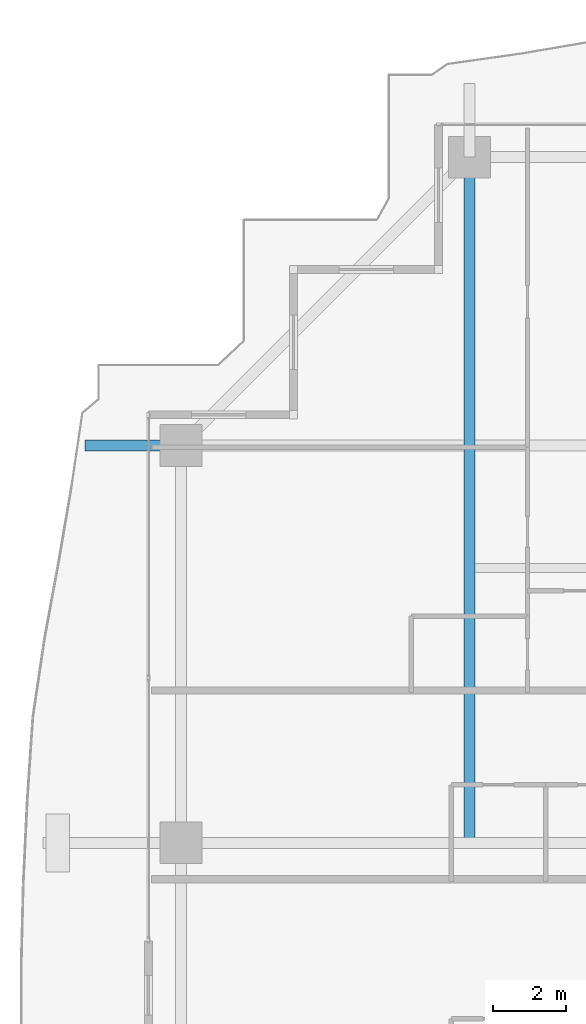
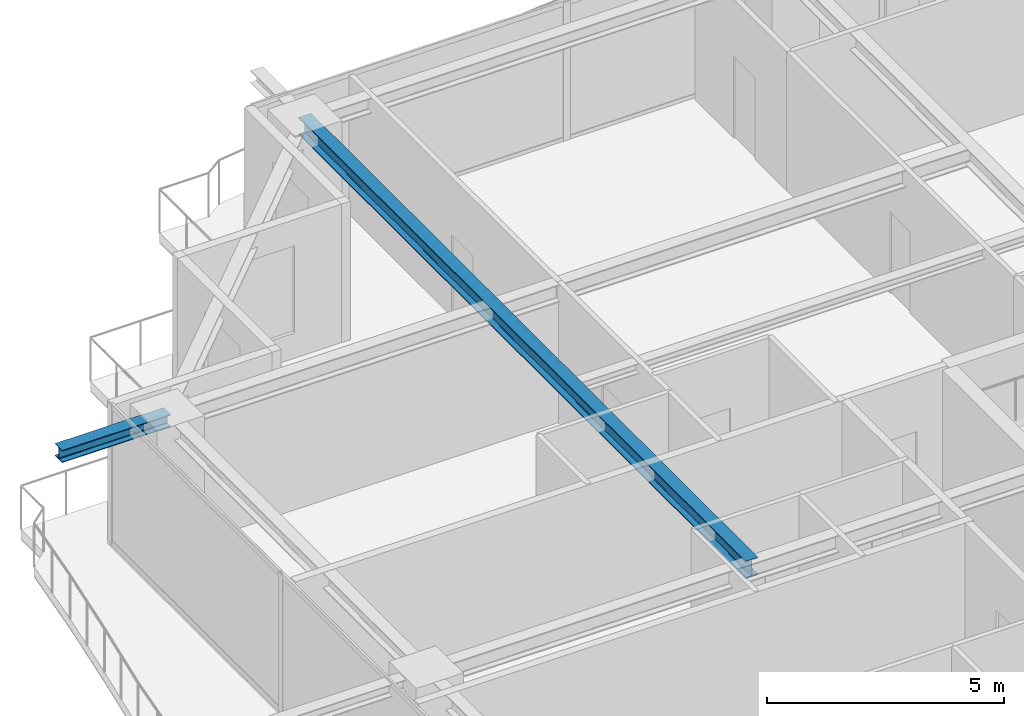
# One storey, part 18 of 38: 2 beams.
"""IFC4 building model written with IfcOpenShell, lengths in metres."""

from ifc_helpers import new_model, si_unit, direction, frame, origin, origin_2d, place, context, subcontext, project, spatial, i_section, extrude, source, transform, mapped, material, material_profile, profile_set, type_object, element, save


model = new_model("IFC4")

# Units and contexts
model_context = context("Model", 3, precision=1e-05, world=origin(), true_north=direction((0.0, 1.0)))
body_context = subcontext(model_context, "Body", "Model", "MODEL_VIEW")
ifc_project = project(units=[si_unit("LENGTHUNIT", "METRE"), si_unit("AREAUNIT", "SQUARE_METRE"), si_unit("VOLUMEUNIT", "CUBIC_METRE"), si_unit("PLANEANGLEUNIT", "RADIAN"), si_unit("MASSUNIT", "GRAM", prefix="KILO")], contexts=[model_context])

# Site, building, storey
site_placement = place(None, origin())
site = spatial("IfcSite", under=ifc_project, at=site_placement, CompositionType="ELEMENT")
building_placement = place(site_placement, origin())
building = spatial("IfcBuilding", under=site, at=building_placement, Name="Serunith Strait Residences", CompositionType="ELEMENT")
storey_placement = place(building_placement, frame((0.0, 0.0, 237.39990234375)))
storey = spatial("IfcBuildingStorey", under=building, at=storey_placement, Name="L59", CompositionType="ELEMENT", Elevation=237.39990234375)

# Beams
ifc_material = material(Name="Steel S355J2", Category="steel")
ifc_material_profile_1 = material_profile(ifc_material, i_section(OverallWidth=0.300048828125, OverallDepth=0.449951171875, WebThickness=0.013916015625, FlangeThickness=0.02587890625, FilletRadius=0.027099609375, at=origin_2d()), Name="HEB 450")
ifc_profile_set_1 = profile_set([ifc_material_profile_1], Name="Steel S355J2")
beam_type_1 = type_object("IfcBeamType", Name="BM-HEB450", PredefinedType="BEAM", material=ifc_profile_set_1)
shared_shape_1 = source(origin(), body_context, "Body", "SweptSolid", [
    extrude(i_section(OverallWidth=0.300048828125, OverallDepth=0.449951171875, WebThickness=0.013916015625, FlangeThickness=0.02587890625, FilletRadius=0.027099609375, at=origin_2d()), origin(), (0.0, 0.0, 1.0), 18.900146484375),
])
beam_1_placement = place(storey_placement, frame((16.25, 29.39990234375, 3.362060546875), z_axis=(0.0, 1.0, 0.0), x_axis=(-1.0, 0.0, 0.0)))
element("IfcBeam", 1, at=beam_1_placement, inside=storey, type_object=beam_type_1, Name="L59 Orthogonal Corner Girder TC-N1", PredefinedType="BEAM", context=body_context, shape_type="MappedRepresentation", body=[
    mapped(shared_shape_1, transform((0.0, 0.0, 0.0), scale=1.0)),
])
ifc_material_profile_2 = material_profile(ifc_material, i_section(OverallWidth=0.300048828125, OverallDepth=0.320068359375, WebThickness=0.011474609375, FlangeThickness=0.0205078125, FilletRadius=0.027099609375, at=origin_2d()), Name="HEB 320")
ifc_profile_set_2 = profile_set([ifc_material_profile_2], Name="Steel S355J2")
beam_type_2 = type_object("IfcBeamType", Name="BM-HEB320", PredefinedType="BEAM", material=ifc_profile_set_2)
shared_shape_2 = source(origin(), body_context, "Body", "SweptSolid", [
    extrude(i_section(OverallWidth=0.300048828125, OverallDepth=0.320068359375, WebThickness=0.011474609375, FlangeThickness=0.0205078125, FilletRadius=0.027099609375, at=origin_2d()), origin(), (0.0, 0.0, 1.0), 2.6455078125),
])
beam_2_placement = place(storey_placement, frame((8.300048828125, 40.35009765625, 3.397216796875), z_axis=(-1.0, 0.0, 0.0), x_axis=(0.0, -1.0, 0.0)))
element("IfcBeam", 2, at=beam_2_placement, inside=storey, type_object=beam_type_2, Name="L60 Cantilevered Balcony Rib TC-W4", PredefinedType="BEAM", context=body_context, shape_type="MappedRepresentation", body=[
    mapped(shared_shape_2, transform((0.0, 0.0, 0.0), scale=1.0)),
])

save(model, "model.ifc")
